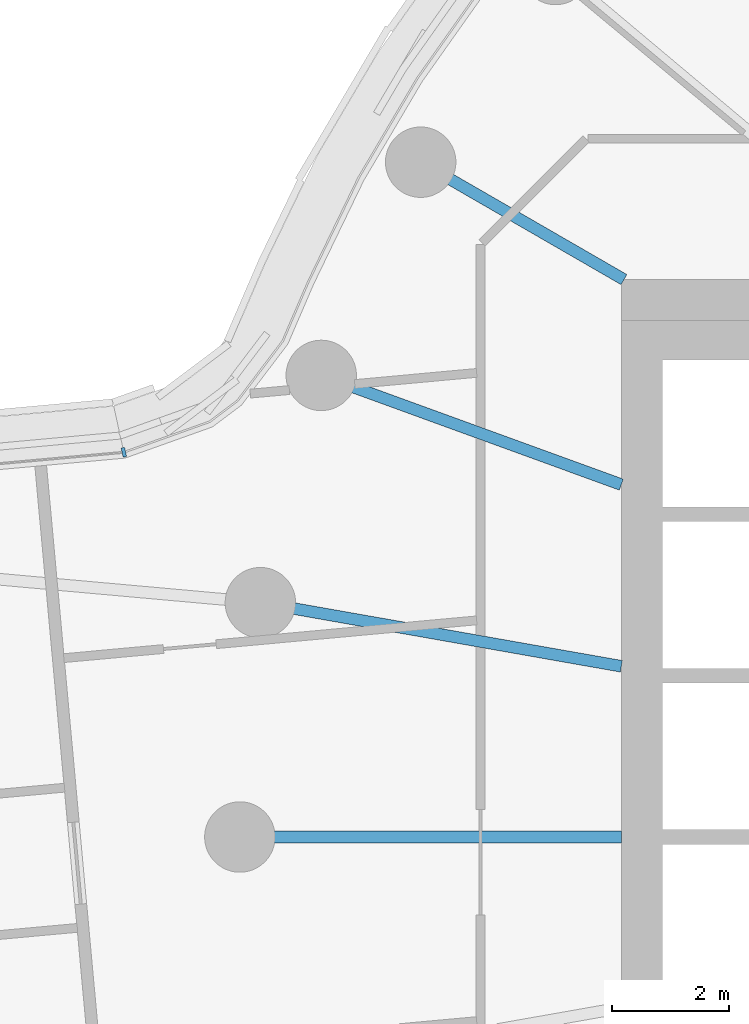
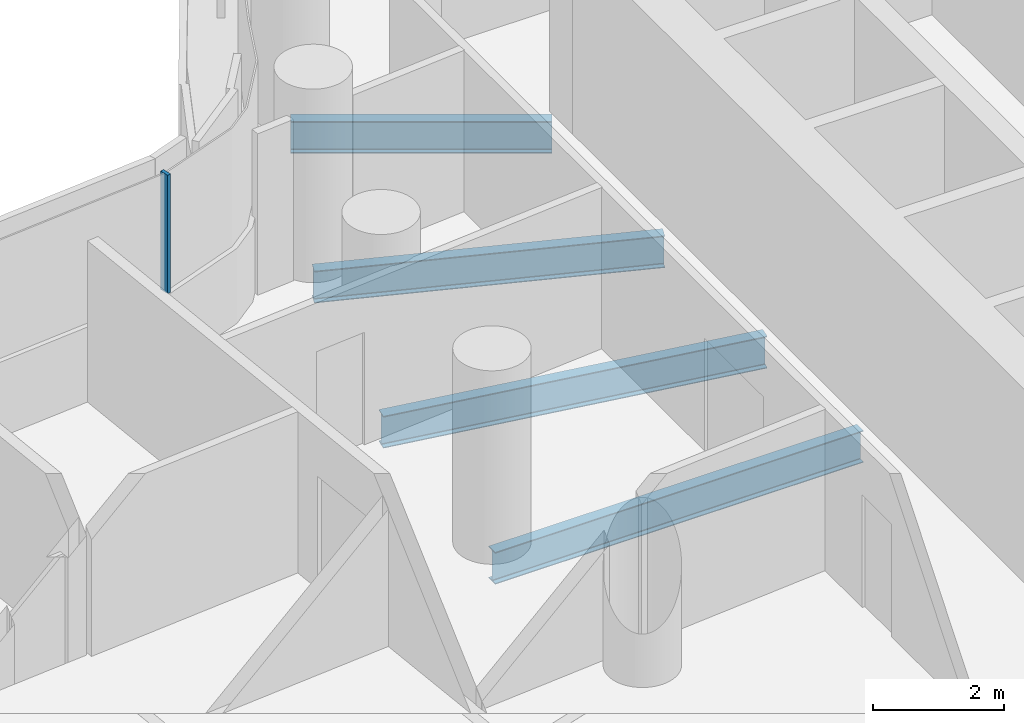
# One storey, part 7 of 31: 4 beams, 1 member, 1 element without a shape of its own.
"""IFC4 building model written with IfcOpenShell, lengths in metres."""

from ifc_helpers import new_model, si_unit, direction, frame, origin, origin_2d, place, context, subcontext, project, spatial, rectangle, i_section, extrude, material, layer, layer_set, material_profile, profile_set, type_object, element, aggregate, save


model = new_model("IFC4")

# Units and contexts
model_context = context("Model", 3, precision=1e-05, world=origin(), true_north=direction((0.0, 1.0)))
body_context = subcontext(model_context, "Body", "Model", "MODEL_VIEW")
ifc_project = project(units=[si_unit("LENGTHUNIT", "METRE"), si_unit("AREAUNIT", "SQUARE_METRE"), si_unit("VOLUMEUNIT", "CUBIC_METRE"), si_unit("PLANEANGLEUNIT", "RADIAN"), si_unit("MASSUNIT", "GRAM", prefix="KILO")], contexts=[model_context])

# Site, building, storey
site_placement = place(None, origin())
site = spatial("IfcSite", under=ifc_project, at=site_placement, CompositionType="ELEMENT")
building_placement = place(site_placement, origin())
building = spatial("IfcBuilding", under=site, at=building_placement, Name="Tamarind Cross Interchange Tower", CompositionType="ELEMENT")
storey_placement = place(building_placement, frame((0.0, 0.0, 52.75)))
storey = spatial("IfcBuildingStorey", under=building, at=storey_placement, Name="L11", CompositionType="ELEMENT", Elevation=52.75)

# Beams
ifc_material_1 = material(Name="Steel Q355B", Category="steel")
ifc_material_profile_1 = material_profile(ifc_material_1, i_section(OverallWidth=0.198974609375, OverallDepth=0.595947265625, WebThickness=0.010009765625, FlangeThickness=0.014892578125, FilletRadius=0.012939453125, at=origin_2d()), Name="HN 596x199x10x15")
ifc_profile_set_1 = profile_set([ifc_material_profile_1], Name="Steel Q355B")
beam_type = type_object("IfcBeamType", Name="Composite beam HN 596x199x10x15 Q355B", PredefinedType="BEAM", material=ifc_profile_set_1)
beam_1_placement = place(storey_placement, frame((-19.918701171875, 11.5, -0.43798828125), z_axis=(0.866026010844, -0.49999894854, 0.0), x_axis=(0.49999894854, 0.866026010844, 0.0)))
element("IfcBeam", 1, at=beam_1_placement, inside=storey, type_object=beam_type, Name="Beam HH15", PredefinedType="BEAM", context=body_context, shape_type="SweptSolid", body=[
    extrude(i_section(OverallWidth=0.198974609375, OverallDepth=0.595947265625, WebThickness=0.010009765625, FlangeThickness=0.014892578125, FilletRadius=0.012939453125, at=origin_2d()), origin(), (0.0, 0.0, 1.0), 4.0),
])
beam_2_placement = place(storey_placement, frame((-21.613037109375, 7.866455078125, -0.43798828125), z_axis=(0.939701685589, -0.341995236956, 0.0), x_axis=(0.341995236956, 0.939701685589, 0.0)))
element("IfcBeam", 2, at=beam_2_placement, inside=storey, type_object=beam_type, Name="Beam HH16", PredefinedType="BEAM", context=body_context, shape_type="SweptSolid", body=[
    extrude(i_section(OverallWidth=0.198974609375, OverallDepth=0.595947265625, WebThickness=0.010009765625, FlangeThickness=0.014892578125, FilletRadius=0.012939453125, at=origin_2d()), origin(), (0.0, 0.0, 1.0), 5.441162109375),
])
beam_3_placement = place(storey_placement, frame((-22.650634765625, 3.993896484375, -0.43798828125), z_axis=(0.984809127561, -0.173640382036, 0.0), x_axis=(0.173640382036, 0.984809127561, 0.0)))
element("IfcBeam", 3, at=beam_3_placement, inside=storey, type_object=beam_type, Name="Beam HH17", PredefinedType="BEAM", context=body_context, shape_type="SweptSolid", body=[
    extrude(i_section(OverallWidth=0.198974609375, OverallDepth=0.595947265625, WebThickness=0.010009765625, FlangeThickness=0.014892578125, FilletRadius=0.012939453125, at=origin_2d()), origin(), (0.0, 0.0, 1.0), 6.24560546875),
])
beam_4_placement = place(storey_placement, frame((-23.0, 0.0, -0.43798828125), z_axis=(1.0, 0.0, 0.0), x_axis=(0.0, 1.0, 0.0)))
element("IfcBeam", 4, at=beam_4_placement, inside=storey, type_object=beam_type, Name="Beam HH18", PredefinedType="BEAM", context=body_context, shape_type="SweptSolid", body=[
    extrude(i_section(OverallWidth=0.198974609375, OverallDepth=0.595947265625, WebThickness=0.010009765625, FlangeThickness=0.014892578125, FilletRadius=0.012939453125, at=origin_2d()), origin(), (0.0, 0.0, 1.0), 6.5),
])

# Curtain wall, member
ifc_material_2 = material(Name="Aluminium 6063-T6", Category="aluminium")
ifc_layer = layer(ifc_material_2, 0.159912109375)
ifc_layer_set = layer_set([ifc_layer], Name="Aluminium 6063-T6")
curtain_wall_type = type_object("IfcCurtainWallType", Name="Office curtain wall, 9.0 m bays", PredefinedType="NOTDEFINED", material=ifc_layer_set)
curtain_wall_placement = place(storey_placement, origin())
curtain_wall = element("IfcCurtainWall", 5, at=curtain_wall_placement, inside=storey, type_object=curtain_wall_type, Name="CWS-L11-03", PredefinedType="NOTDEFINED")
ifc_material_profile_2 = material_profile(ifc_material_2, rectangle(XDim=0.06005859375, YDim=0.159912109375, at=origin_2d()), Name="Mullion CW1")
ifc_profile_set_2 = profile_set([ifc_material_profile_2], Name="Aluminium 6063-T6")
member_type = type_object("IfcMemberType", Name="Mullion CW1", PredefinedType="MULLION", material=ifc_profile_set_2)
member_placement = place(storey_placement, frame((-24.9765625, 6.55615234375, 1.39990234375), z_axis=(0.0, 0.0, 1.0), x_axis=(-0.976558841165, -0.21525062077, 0.0)))
member = element("IfcMember", 6, at=member_placement, type_object=member_type, Name="CWM-L11-03-00", PredefinedType="MULLION", context=body_context, shape_type="SweptSolid", body=[
    extrude(rectangle(XDim=0.06005859375, YDim=0.159912109375, at=origin_2d()), origin(), (0.0, 0.0, 1.0), 2.210205078125),
])
aggregate(curtain_wall, [member])

save(model, "model.ifc")
